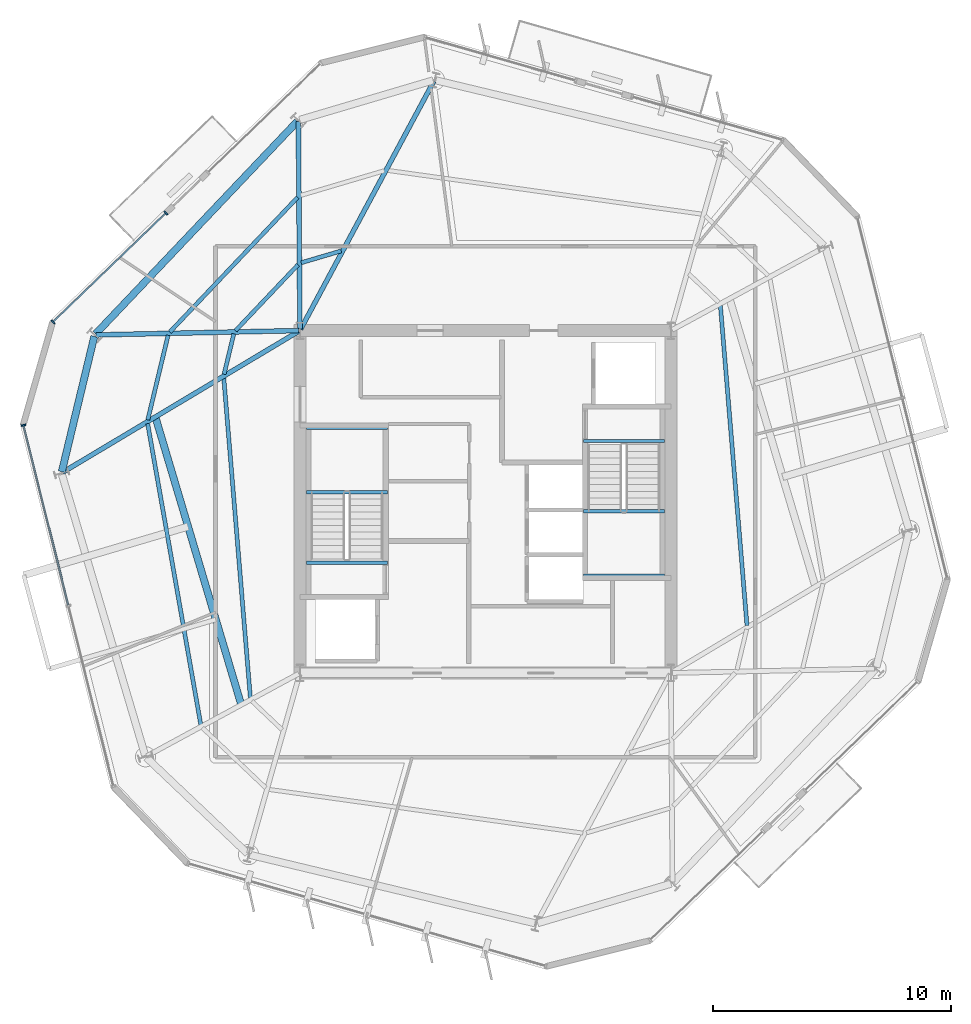
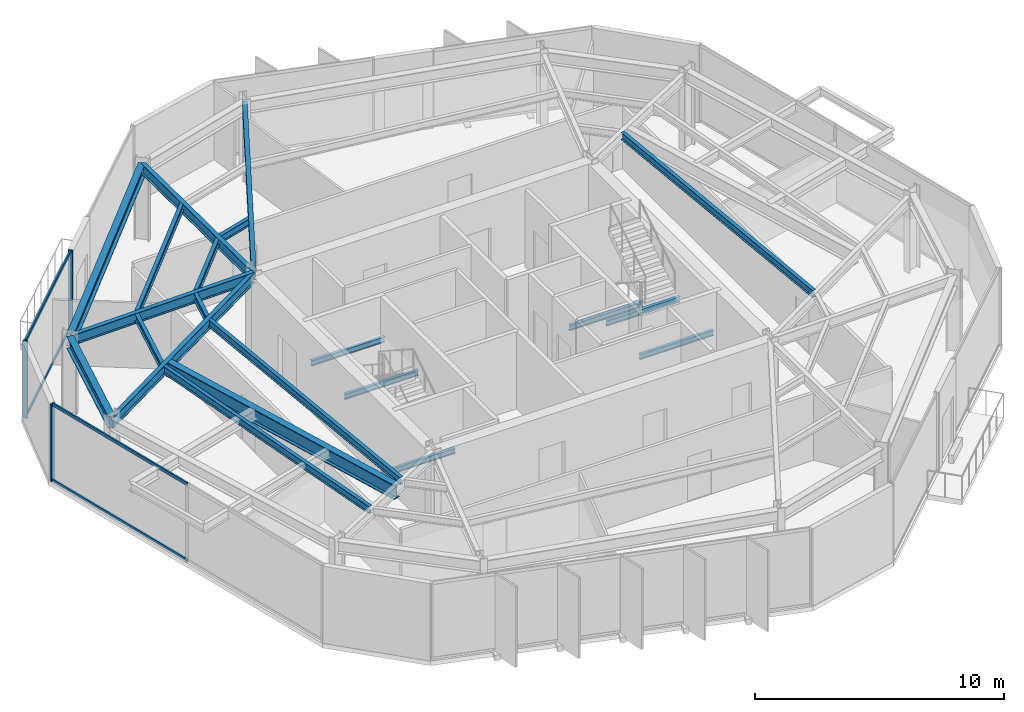
# One storey, part 3 of 10: 21 beams, 7 members, 2 elements without a shape of their own.
"""IFC4 building model written with IfcOpenShell, lengths in metres."""

from ifc_helpers import new_model, si_unit, direction, frame, origin, origin_2d, place, context, subcontext, project, spatial, rectangle, i_section, extrude, material, layer, layer_set, material_profile, profile_set, type_object, element, aggregate, save


model = new_model("IFC4")

# Units and contexts
model_context = context("Model", 3, precision=1e-05, world=origin(), true_north=direction((0.0, 1.0)))
body_context = subcontext(model_context, "Body", "Model", "MODEL_VIEW")
ifc_project = project(units=[si_unit("LENGTHUNIT", "METRE"), si_unit("AREAUNIT", "SQUARE_METRE"), si_unit("VOLUMEUNIT", "CUBIC_METRE"), si_unit("PLANEANGLEUNIT", "RADIAN"), si_unit("MASSUNIT", "GRAM", prefix="KILO")], contexts=[model_context])

# Site, building, storey
site_placement = place(None, origin())
site = spatial("IfcSite", under=ifc_project, at=site_placement, CompositionType="ELEMENT")
building_placement = place(site_placement, origin())
building = spatial("IfcBuilding", under=site, at=building_placement, Name="Kranzbogen Civic Tower", CompositionType="ELEMENT")
storey_placement = place(building_placement, frame((0.0, 0.0, 200.800048828125)))
storey = spatial("IfcBuildingStorey", under=building, at=storey_placement, Name="L48", CompositionType="ELEMENT", Elevation=200.800048828125)

# Curtain wall, members
ifc_material_1 = material(Name="Pale Anodised Aluminium", Category="aluminium")
ifc_layer = layer(ifc_material_1, 0.219970703125, Name="Pale Anodised Aluminium")
ifc_layer_set = layer_set([ifc_layer], Name="Pale Anodised Aluminium")
curtain_wall_type = type_object("IfcCurtainWallType", Name="Zone 3 Stick Curtain Wall System CW-04", PredefinedType="USERDEFINED", material=ifc_layer_set)
curtain_wall_1_placement = place(storey_placement, origin())
curtain_wall_1 = element("IfcCurtainWall", 1, at=curtain_wall_1_placement, inside=storey, type_object=curtain_wall_type, Name="L48 curtain wall CW-L48-F2-S2", ObjectType="STICK CURTAIN WALL", PredefinedType="USERDEFINED")
ifc_material_profile_1 = material_profile(ifc_material_1, rectangle(XDim=0.070068359375, YDim=0.199951171875, at=origin_2d()), Name="ALU-M 70x200")
ifc_profile_set_1 = profile_set([ifc_material_profile_1], Name="Pale Anodised Aluminium")
member_type_1 = type_object("IfcMemberType", Name="Curtain Wall Mullion ALU-M 70x200", PredefinedType="MULLION", material=ifc_profile_set_1)
member_1_placement = place(storey_placement, frame((11.5615234375, 37.145263671875, 0.0), z_axis=(0.0, 0.0, 1.0), x_axis=(-0.719321190897, -0.694677640583, 0.0)))
member_1 = element("IfcMember", 2, at=member_1_placement, type_object=member_type_1, Name="CW-04 mullion 1", PredefinedType="MULLION", context=body_context, shape_type="SweptSolid", body=[
    extrude(rectangle(XDim=0.070068359375, YDim=0.199951171875, at=origin_2d()), origin(), (0.0, 0.0, 1.0), 3.780029296875),
])
member_2_placement = place(storey_placement, frame((6.817626953125, 32.563720703125, 0.0), z_axis=(0.0, 0.0, 1.0), x_axis=(-0.719321190897, -0.694677640583, 0.0)))
member_2 = element("IfcMember", 3, at=member_2_placement, type_object=member_type_1, Name="CW-04 mullion 2", PredefinedType="MULLION", context=body_context, shape_type="SweptSolid", body=[
    extrude(rectangle(XDim=0.070068359375, YDim=0.199951171875, at=origin_2d()), origin(), (0.0, 0.0, 1.0), 3.780029296875),
])

# Curtain wall, member
curtain_wall_2_placement = place(storey_placement, origin())
curtain_wall_2 = element("IfcCurtainWall", 4, at=curtain_wall_2_placement, inside=storey, type_object=curtain_wall_type, Name="L48 curtain wall CW-L48-F3", ObjectType="STICK CURTAIN WALL", PredefinedType="USERDEFINED")
member_3_placement = place(storey_placement, frame((5.572265625, 28.219970703125, 0.0), z_axis=(0.0, 0.0, 1.0), x_axis=(0.241906467442, -0.970299572817, 0.0)))
member_3 = element("IfcMember", 5, at=member_3_placement, type_object=member_type_1, Name="CW-04 mullion 1", PredefinedType="MULLION", context=body_context, shape_type="SweptSolid", body=[
    extrude(rectangle(XDim=0.070068359375, YDim=0.199951171875, at=origin_2d()), origin(), (0.0, 0.0, 1.0), 3.780029296875),
])

# Member
ifc_material_profile_2 = material_profile(ifc_material_1, rectangle(XDim=0.070068359375, YDim=0.14990234375, at=origin_2d()), Name="ALU-T 70x150")
ifc_profile_set_2 = profile_set([ifc_material_profile_2], Name="Pale Anodised Aluminium")
member_type_2 = type_object("IfcMemberType", Name="Curtain Wall Transom ALU-T 70x150", PredefinedType="USERDEFINED", material=ifc_profile_set_2)
member_4_placement = place(storey_placement, frame((11.539794921875, 37.124267578125, 0.030029296875), z_axis=(-0.719328070207, -0.694670517161, 0.0), x_axis=(0.694670517161, -0.719328070207, 0.0)))
member_4 = element("IfcMember", 6, at=member_4_placement, type_object=member_type_2, Name="CW-04 transom 1.1", ObjectType="TRANSOM", PredefinedType="USERDEFINED", context=body_context, shape_type="SweptSolid", body=[
    extrude(rectangle(XDim=0.070068359375, YDim=0.14990234375, at=origin_2d()), origin(), (0.0, 0.0, 1.0), 6.534912109375),
])

member_5_placement = place(storey_placement, frame((11.539794921875, 37.124267578125, 3.75), z_axis=(-0.719328070207, -0.694670517161, 0.0), x_axis=(0.694670517161, -0.719328070207, 0.0)))
member_5 = element("IfcMember", 7, at=member_5_placement, type_object=member_type_2, Name="CW-04 transom 1.2", ObjectType="TRANSOM", PredefinedType="USERDEFINED", context=body_context, shape_type="SweptSolid", body=[
    extrude(rectangle(XDim=0.070068359375, YDim=0.14990234375, at=origin_2d()), origin(), (0.0, 0.0, 1.0), 6.534912109375),
])

aggregate(curtain_wall_1, [member_1, member_2, member_4, member_5])

member_6_placement = place(storey_placement, frame((5.57958984375, 28.190673828125, 0.030029296875), z_axis=(0.241906673326, -0.970299521488, 0.0), x_axis=(0.970299521488, 0.241906673326, 0.0)))
member_6 = element("IfcMember", 8, at=member_6_placement, type_object=member_type_2, Name="CW-04 transom 1.1", ObjectType="TRANSOM", PredefinedType="USERDEFINED", context=body_context, shape_type="SweptSolid", body=[
    extrude(rectangle(XDim=0.070068359375, YDim=0.14990234375, at=origin_2d()), origin(), (0.0, 0.0, 1.0), 7.76416015625),
])

member_7_placement = place(storey_placement, frame((5.57958984375, 28.190673828125, 3.75), z_axis=(0.241906673326, -0.970299521488, 0.0), x_axis=(0.970299521488, 0.241906673326, 0.0)))
member_7 = element("IfcMember", 9, at=member_7_placement, type_object=member_type_2, Name="CW-04 transom 1.2", ObjectType="TRANSOM", PredefinedType="USERDEFINED", context=body_context, shape_type="SweptSolid", body=[
    extrude(rectangle(XDim=0.070068359375, YDim=0.14990234375, at=origin_2d()), origin(), (0.0, 0.0, 1.0), 7.76416015625),
])

aggregate(curtain_wall_2, [member_3, member_6, member_7])

# Beams
ifc_material_2 = material(Name="Steel S355", Category="steel")
ifc_material_profile_3 = material_profile(ifc_material_2, i_section(OverallWidth=0.300048828125, OverallDepth=0.60009765625, WebThickness=0.015380859375, FlangeThickness=0.030029296875, at=origin_2d()), Name="HEB 600")
ifc_profile_set_3 = profile_set([ifc_material_profile_3], Name="Steel S355")
beam_type_1 = type_object("IfcBeamType", Name="Perimeter Tube Spandrel Beam HEB 600", PredefinedType="SPANDREL", material=ifc_profile_set_3)
beam_1_placement = place(storey_placement, frame((17.092041015625, 41.0, 3.47998046875), z_axis=(-0.688373497874, -0.725356414065, 0.0), x_axis=(0.725356414065, -0.688373497874, 0.0)))
element("IfcBeam", 10, at=beam_1_placement, inside=storey, type_object=beam_type_1, Name="L48 perimeter spandrel beam 10", PredefinedType="SPANDREL", context=body_context, shape_type="SweptSolid", body=[
    extrude(i_section(OverallWidth=0.300048828125, OverallDepth=0.60009765625, WebThickness=0.015380859375, FlangeThickness=0.030029296875, at=origin_2d()), origin(), (0.0, 0.0, 1.0), 12.324951171875),
])
beam_2_placement = place(storey_placement, frame((8.552978515625, 31.9580078125, 3.47998046875), z_axis=(-0.233554380434, -0.972343741369, 0.0), x_axis=(0.972343741369, -0.233554380434, 0.0)))
element("IfcBeam", 11, at=beam_2_placement, inside=storey, type_object=beam_type_1, Name="L48 perimeter spandrel beam 11", PredefinedType="SPANDREL", context=body_context, shape_type="SweptSolid", body=[
    extrude(i_section(OverallWidth=0.300048828125, OverallDepth=0.60009765625, WebThickness=0.015380859375, FlangeThickness=0.030029296875, at=origin_2d()), origin(), (0.0, 0.0, 1.0), 5.852783203125),
])
ifc_material_profile_4 = material_profile(ifc_material_2, i_section(OverallWidth=0.300048828125, OverallDepth=0.699951171875, WebThickness=0.01708984375, FlangeThickness=0.031982421875, at=origin_2d()), Name="HEB 700")
ifc_profile_set_4 = profile_set([ifc_material_profile_4], Name="Steel S355")
beam_type_2 = type_object("IfcBeamType", Name="Perimeter Tube Spandrel Beam HEB 700", PredefinedType="SPANDREL", material=ifc_profile_set_4)
beam_3_placement = place(storey_placement, frame((11.12109375, 28.568115234375, 3.39990234375), z_axis=(0.285870808606, -0.95826816747, 0.0), x_axis=(0.95826816747, 0.285870808606, 0.0)))
element("IfcBeam", 12, at=beam_3_placement, inside=storey, type_object=beam_type_2, Name="L49 balcony back-span header girder L49-TB2", PredefinedType="SPANDREL", context=body_context, shape_type="SweptSolid", body=[
    extrude(i_section(OverallWidth=0.300048828125, OverallDepth=0.699951171875, WebThickness=0.01708984375, FlangeThickness=0.031982421875, at=origin_2d()), origin(), (0.0, 0.0, 1.0), 12.634521484375),
])
ifc_material_profile_5 = material_profile(ifc_material_2, i_section(OverallWidth=0.199951171875, OverallDepth=0.5, WebThickness=0.01025390625, FlangeThickness=0.01611328125, at=origin_2d()), Name="IPE 500")
ifc_profile_set_5 = profile_set([ifc_material_profile_5], Name="Steel S355")
beam_type_3 = type_object("IfcBeamType", Name="Radial Tower Floor Girder IPE 500", PredefinedType="BEAM", material=ifc_profile_set_5)
beam_4_placement = place(storey_placement, frame((22.83203125, 42.68701171875, 3.530029296875), z_axis=(-0.473160413549, -0.880976289721, 0.0), x_axis=(0.880976289721, -0.473160413549, 0.0)))
element("IfcBeam", 13, at=beam_4_placement, inside=storey, type_object=beam_type_3, Name="L48 radial floor girder 09", PredefinedType="BEAM", context=body_context, shape_type="SweptSolid", body=[
    extrude(i_section(OverallWidth=0.199951171875, OverallDepth=0.5, WebThickness=0.01025390625, FlangeThickness=0.01611328125, at=origin_2d()), origin(), (0.0, 0.0, 1.0), 11.84375),
])
beam_5_placement = place(storey_placement, frame((17.133056640625, 40.98388671875, 3.530029296875), z_axis=(0.007667756557, -0.999970602323, 0.0), x_axis=(0.999970602323, 0.007667756557, 0.0)))
element("IfcBeam", 14, at=beam_5_placement, inside=storey, type_object=beam_type_3, Name="L48 radial floor girder 10", PredefinedType="BEAM", context=body_context, shape_type="SweptSolid", body=[
    extrude(i_section(OverallWidth=0.199951171875, OverallDepth=0.5, WebThickness=0.01025390625, FlangeThickness=0.01611328125, at=origin_2d()), origin(), (0.0, 0.0, 1.0), 8.72412109375),
])
beam_6_placement = place(storey_placement, frame((8.626953125, 32.01708984375, 3.530029296875), z_axis=(0.99977183191, 0.021360808018, 0.0), x_axis=(-0.021360808018, 0.99977183191, 0.0)))
element("IfcBeam", 15, at=beam_6_placement, inside=storey, type_object=beam_type_3, Name="L48 radial floor girder 11", PredefinedType="BEAM", context=body_context, shape_type="SweptSolid", body=[
    extrude(i_section(OverallWidth=0.199951171875, OverallDepth=0.5, WebThickness=0.01025390625, FlangeThickness=0.01611328125, at=origin_2d()), origin(), (0.0, 0.0, 1.0), 8.514892578125),
])
beam_7_placement = place(storey_placement, frame((7.22412109375, 26.239990234375, 3.530029296875), z_axis=(0.858458551809, 0.512882944565, 0.0), x_axis=(-0.512882944565, 0.858458551809, 0.0)))
element("IfcBeam", 16, at=beam_7_placement, inside=storey, type_object=beam_type_3, Name="L48 radial floor girder 12", PredefinedType="BEAM", context=body_context, shape_type="SweptSolid", body=[
    extrude(i_section(OverallWidth=0.199951171875, OverallDepth=0.5, WebThickness=0.01025390625, FlangeThickness=0.01611328125, at=origin_2d()), origin(), (0.0, 0.0, 1.0), 11.56005859375),
])
ifc_material_profile_6 = material_profile(ifc_material_2, i_section(OverallWidth=0.169921875, OverallDepth=0.360107421875, WebThickness=0.008056640625, FlangeThickness=0.0126953125, at=origin_2d()), Name="IPE 360")
ifc_profile_set_6 = profile_set([ifc_material_profile_6], Name="Steel S355")
beam_type_4 = type_object("IfcBeamType", Name="Secondary Composite Floor Joist IPE 360", PredefinedType="JOIST", material=ifc_profile_set_6)
beam_8_placement = place(storey_placement, frame((36.001953125, 19.797119140625, 3.599853515625), z_axis=(-0.082825426692, 0.996564071544, 0.0), x_axis=(-0.996564071544, -0.082825426692, 0.0)))
element("IfcBeam", 17, at=beam_8_placement, inside=storey, type_object=beam_type_4, Name="L48 secondary floor joist 2.06", PredefinedType="JOIST", context=body_context, shape_type="SweptSolid", body=[
    extrude(i_section(OverallWidth=0.169921875, OverallDepth=0.360107421875, WebThickness=0.008056640625, FlangeThickness=0.0126953125, at=origin_2d()), origin(), (0.0, 0.0, 1.0), 13.497314453125),
])
beam_9_placement = place(storey_placement, frame((18.93408203125, 35.550048828125, 3.599853515625), z_axis=(-0.958871214757, -0.283841493638, 0.0), x_axis=(0.283841493638, -0.958871214757, 0.0)))
element("IfcBeam", 18, at=beam_9_placement, inside=storey, type_object=beam_type_4, Name="L48 secondary floor joist 2.09", PredefinedType="JOIST", context=body_context, shape_type="SweptSolid", body=[
    extrude(i_section(OverallWidth=0.169921875, OverallDepth=0.360107421875, WebThickness=0.008056640625, FlangeThickness=0.0126953125, at=origin_2d()), origin(), (0.0, 0.0, 1.0), 1.751220703125),
])
beam_10_placement = place(storey_placement, frame((17.10205078125, 37.802001953125, 3.599853515625), z_axis=(-0.688282381634, -0.725442873789, 0.0), x_axis=(0.725442873789, -0.688282381634, 0.0)))
element("IfcBeam", 19, at=beam_10_placement, inside=storey, type_object=beam_type_4, Name="L48 secondary floor joist 1.10", PredefinedType="JOIST", context=body_context, shape_type="SweptSolid", body=[
    extrude(i_section(OverallWidth=0.169921875, OverallDepth=0.360107421875, WebThickness=0.008056640625, FlangeThickness=0.0126953125, at=origin_2d()), origin(), (0.0, 0.0, 1.0), 7.804931640625),
])
beam_11_placement = place(storey_placement, frame((17.123046875, 34.971923828125, 3.599853515625), z_axis=(-0.688175084876, -0.725544659243, 0.0), x_axis=(0.725544659243, -0.688175084876, 0.0)))
element("IfcBeam", 20, at=beam_11_placement, inside=storey, type_object=beam_type_4, Name="L48 secondary floor joist 2.10", PredefinedType="JOIST", context=body_context, shape_type="SweptSolid", body=[
    extrude(i_section(OverallWidth=0.169921875, OverallDepth=0.360107421875, WebThickness=0.008056640625, FlangeThickness=0.0126953125, at=origin_2d()), origin(), (0.0, 0.0, 1.0), 3.82177734375),
])
beam_12_placement = place(storey_placement, frame((11.656005859375, 32.00390625, 3.599853515625), z_axis=(-0.233534367714, -0.972348548154, 0.0), x_axis=(0.972348548154, -0.233534367714, 0.0)))
element("IfcBeam", 21, at=beam_12_placement, inside=storey, type_object=beam_type_4, Name="L48 secondary floor joist 1.11", PredefinedType="JOIST", context=body_context, shape_type="SweptSolid", body=[
    extrude(i_section(OverallWidth=0.169921875, OverallDepth=0.360107421875, WebThickness=0.008056640625, FlangeThickness=0.0126953125, at=origin_2d()), origin(), (0.0, 0.0, 1.0), 3.6611328125),
])
beam_13_placement = place(storey_placement, frame((14.4189453125, 32.06298828125, 3.599853515625), z_axis=(-0.233631438607, -0.972325228972, 0.0), x_axis=(0.972325228972, -0.233631438607, 0.0)))
element("IfcBeam", 22, at=beam_13_placement, inside=storey, type_object=beam_type_4, Name="L48 secondary floor joist 2.11", PredefinedType="JOIST", context=body_context, shape_type="SweptSolid", body=[
    extrude(i_section(OverallWidth=0.169921875, OverallDepth=0.360107421875, WebThickness=0.008056640625, FlangeThickness=0.0126953125, at=origin_2d()), origin(), (0.0, 0.0, 1.0), 1.750244140625),
])
beam_14_placement = place(storey_placement, frame((10.7958984375, 28.287109375, 3.599853515625), z_axis=(0.173805911364, -0.984779927281, 0.0), x_axis=(0.984779927281, 0.173805911364, 0.0)))
element("IfcBeam", 23, at=beam_14_placement, inside=storey, type_object=beam_type_4, Name="L48 secondary floor joist 1.12", PredefinedType="JOIST", context=body_context, shape_type="SweptSolid", body=[
    extrude(i_section(OverallWidth=0.169921875, OverallDepth=0.360107421875, WebThickness=0.008056640625, FlangeThickness=0.0126953125, at=origin_2d()), origin(), (0.0, 0.0, 1.0), 12.85986328125),
])
beam_15_placement = place(storey_placement, frame((13.998046875, 30.202880859375, 3.599853515625), z_axis=(0.082825426692, -0.996564071544, 0.0), x_axis=(0.996564071544, 0.082825426692, 0.0)))
element("IfcBeam", 24, at=beam_15_placement, inside=storey, type_object=beam_type_4, Name="L48 secondary floor joist 2.12", PredefinedType="JOIST", context=body_context, shape_type="SweptSolid", body=[
    extrude(i_section(OverallWidth=0.169921875, OverallDepth=0.360107421875, WebThickness=0.008056640625, FlangeThickness=0.0126953125, at=origin_2d()), origin(), (0.0, 0.0, 1.0), 13.497314453125),
])
ifc_material_profile_7 = material_profile(ifc_material_2, i_section(OverallWidth=0.135009765625, OverallDepth=0.27001953125, WebThickness=0.006591796875, FlangeThickness=0.01025390625, at=origin_2d()), Name="IPE 270")
ifc_profile_set_7 = profile_set([ifc_material_profile_7], Name="Steel S355")
beam_type_5 = type_object("IfcBeamType", Name="Stair Landing Support Beam IPE 270", PredefinedType="JOIST", material=ifc_profile_set_7)
for number, where, z_axis, x_axis, name in (
    (25, (20.8798828125, 22.43994140625, -0.35498046875), (-1.0, 0.0, 0.0), (0.0, -1.0, 0.0), "L48 ST-T1 stair floor header beam"),
    (26, (20.8798828125, 25.39990234375, 1.6650390625), (-1.0, 0.0, 0.0), (0.0, -1.0, 0.0), "L48 ST-T1 landing support beam 1.1"),
    (27, (20.8798828125, 28.10009765625, 1.6650390625), (-1.0, 0.0, 0.0), (0.0, -1.0, 0.0), "L48 ST-T1 landing support beam 1.2"),
    (28, (29.1201171875, 27.56005859375, -0.35498046875), (1.0, 0.0, 0.0), (0.0, 1.0, 0.0), "L48 ST-T2 stair floor header beam"),
    (29, (29.1201171875, 24.60009765625, 1.6650390625), (1.0, 0.0, 0.0), (0.0, 1.0, 0.0), "L48 ST-T2 landing support beam 1.1"),
    (30, (29.1201171875, 21.89990234375, 1.6650390625), (1.0, 0.0, 0.0), (0.0, 1.0, 0.0), "L48 ST-T2 landing support beam 1.2"),
):
    element("IfcBeam", number, at=place(storey_placement, frame(where, z_axis=z_axis, x_axis=x_axis)), inside=storey, type_object=beam_type_5, Name=name, PredefinedType="JOIST", context=body_context, shape_type="SweptSolid", body=[
        extrude(i_section(OverallWidth=0.135009765625, OverallDepth=0.27001953125, WebThickness=0.006591796875, FlangeThickness=0.01025390625, at=origin_2d()), origin(), (0.0, 0.0, 1.0), 3.409912109375),
    ])

save(model, "model.ifc")
